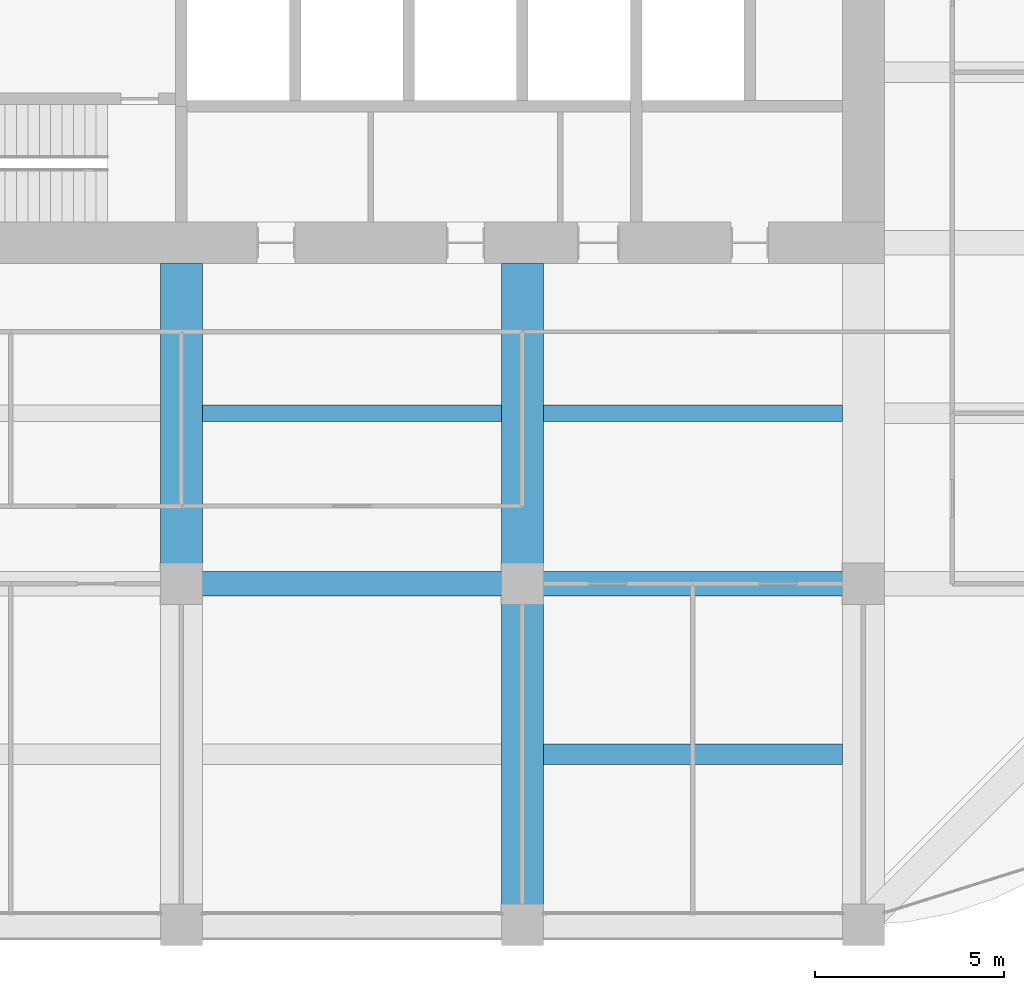
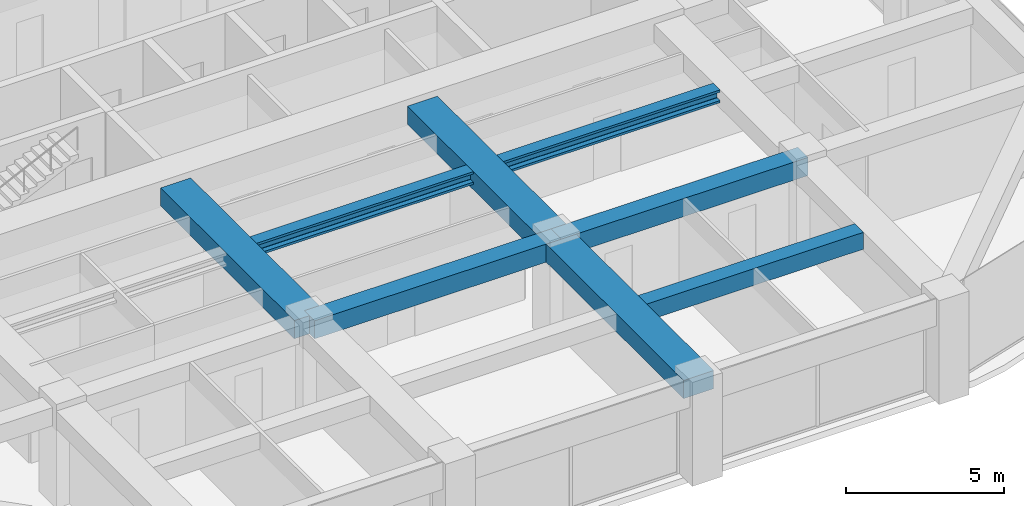
# One storey, part 12 of 45: 8 beams.
"""IFC4 building model written with IfcOpenShell, lengths in metres."""

import ifcopenshell
import ifcopenshell.guid

model = None  # the IFC model being written
_history = None  # IfcOwnerHistory: only IFC2X3 demands one
_inside = {}  # id of a spatial element -> (the spatial element, [elements in it])
_under = {}  # id of a project, library or spatial element -> (it, [spatial elements below it])
_declared = {}  # id of a project -> (the project, [libraries it declares])
_typed = {}  # id of a type object -> (the type object, [elements of that type])
_made_of = {}  # id of a material, layer set ... -> (it, [elements and type objects made of it])


def new_model(schema):
    """Start an empty IFC model of exactly this schema.

    Asked for "IFC4X3", IfcOpenShell would pick the latest addendum, in which some entities
    have other attributes; the version numbers below select the first issue.
    IFC2X3 requires an IfcOwnerHistory on every rooted entity: one is made here for all.
    """
    global model, _history
    if schema == "IFC4X3":
        model = ifcopenshell.file(schema_version=(4, 3, 0, 0))
    else:
        model = ifcopenshell.file(schema=schema)
    _inside.clear()
    _under.clear()
    _declared.clear()
    _typed.clear()
    _made_of.clear()
    _history = None
    if model.schema == "IFC2X3":
        org = make("IfcOrganization", Name="unknown")
        user = make(
            "IfcPersonAndOrganization",
            ThePerson=make("IfcPerson", FamilyName="unknown"),
            TheOrganization=org,
        )
        app = make(
            "IfcApplication",
            ApplicationDeveloper=org,
            Version="unknown",
            ApplicationFullName="unknown",
            ApplicationIdentifier="unknown",
        )
        _history = make(
            "IfcOwnerHistory",
            OwningUser=user,
            OwningApplication=app,
            ChangeAction="ADDED",
            CreationDate=0,
        )
    return model


def make(cls, **values):
    """One entity of the class cls with the attributes given. An attribute that is None is left unset."""
    return model.create_entity(
        cls, **{name: value for name, value in values.items() if value is not None}
    )


def rooted(cls, **values):
    """An entity with a GlobalId (a new one), such as an element, a storey or a relation."""
    return make(cls, GlobalId=ifcopenshell.guid.new(), OwnerHistory=_history, **values)


def si_unit(unit_type, name, prefix=None):
    """IfcSIUnit, for example si_unit("LENGTHUNIT", "METRE", prefix="MILLI")."""
    return make("IfcSIUnit", UnitType=unit_type, Prefix=prefix, Name=name)


def assignment(units):
    """IfcUnitAssignment: the units of a project."""
    return None if units is None else make("IfcUnitAssignment", Units=units)


def point(xyz):
    """IfcCartesianPoint."""
    return None if xyz is None else make("IfcCartesianPoint", Coordinates=xyz)


def direction(xyz):
    """IfcDirection."""
    return None if xyz is None else make("IfcDirection", DirectionRatios=xyz)


def frame(location, z_axis=None, x_axis=None):
    """IfcAxis2Placement3D, a coordinate frame: its origin and axes. An axis left out is left unset."""
    return make(
        "IfcAxis2Placement3D",
        Location=point(location),
        Axis=direction(z_axis),
        RefDirection=direction(x_axis),
    )


def frame_2d(location, x_axis=None):
    """IfcAxis2Placement2D, a coordinate frame in the plane: its origin and x axis."""
    return make(
        "IfcAxis2Placement2D", Location=point(location), RefDirection=direction(x_axis)
    )


def origin():
    """The frame at (0, 0, 0) with its axes left unset."""
    return frame((0.0, 0.0, 0.0))


def origin_2d():
    """The frame at (0, 0) in the plane with its x axis left unset."""
    return frame_2d((0.0, 0.0))


def place(relative_to, where):
    """IfcLocalPlacement: puts the frame where relative to a parent placement (None: the world)."""
    return make(
        "IfcLocalPlacement", PlacementRelTo=relative_to, RelativePlacement=where
    )


def context(
    kind, dimensions, precision=None, world=None, true_north=None, identifier=None
):
    """IfcGeometricRepresentationContext, for example the 3D "Model" context."""
    return make(
        "IfcGeometricRepresentationContext",
        ContextIdentifier=identifier,
        ContextType=kind,
        CoordinateSpaceDimension=dimensions,
        Precision=precision,
        WorldCoordinateSystem=world,
        TrueNorth=true_north,
    )


def subcontext(parent, identifier, kind, view, scale=None):
    """IfcGeometricRepresentationSubContext, for example "Body" below "Model"."""
    return make(
        "IfcGeometricRepresentationSubContext",
        ContextIdentifier=identifier,
        ContextType=kind,
        ParentContext=parent,
        TargetScale=scale,
        TargetView=view,
    )


def project(units=None, contexts=None):
    """IfcProject with its units and contexts."""
    return rooted(
        "IfcProject",
        Name="project",
        RepresentationContexts=contexts,
        UnitsInContext=assignment(units),
    )


def spatial(cls, under=None, at=None, **own):
    """A site, building, storey or space (cls), placed at a placement, below another one or the project."""
    s = rooted(cls, ObjectPlacement=at, **own)
    if under is not None:
        _under.setdefault(under.id(), (under, []))[1].append(s)
    return s


def profile(cls, at=None, kind="AREA", **sizes):
    """A parametric profile (cls). Its sizes go by their IFC names, for example OverallWidth=200.0."""
    return make(cls, ProfileType=kind, Position=at, **sizes)


def rectangle(**sizes):
    """IfcRectangleProfileDef."""
    return profile("IfcRectangleProfileDef", **sizes)


def i_section(**sizes):
    """IfcIShapeProfileDef."""
    return profile("IfcIShapeProfileDef", **sizes)


def extrude(swept, where, along, depth):
    """IfcExtrudedAreaSolid: the profile swept, set in the frame where, extruded along a direction by depth."""
    return make(
        "IfcExtrudedAreaSolid",
        SweptArea=swept,
        Position=where,
        ExtrudedDirection=direction(along),
        Depth=depth,
    )


def shape(context_of_items, identifier, shape_type, items):
    """IfcShapeRepresentation: the items that make up one representation, for example the "Body"."""
    return make(
        "IfcShapeRepresentation",
        ContextOfItems=context_of_items,
        RepresentationIdentifier=identifier,
        RepresentationType=shape_type,
        Items=items,
    )


def material(Name=None, Category=None):
    """IfcMaterial."""
    return make("IfcMaterial", Name=Name, Category=Category)


def material_profile(
    of_material, cross_section, Name=None, Category=None, Priority=None
):
    """IfcMaterialProfile: a cross section and its material."""
    return make(
        "IfcMaterialProfile",
        Name=Name,
        Material=of_material,
        Profile=cross_section,
        Priority=Priority,
        Category=Category,
    )


def profile_set(profiles, Name=None, composite=None):
    """IfcMaterialProfileSet."""
    return make(
        "IfcMaterialProfileSet",
        Name=Name,
        MaterialProfiles=profiles,
        CompositeProfile=composite,
    )


def made_of(thing, what):
    """Note that an element or type object is made of a material, layer set ...; save() writes the relation."""
    if what is not None:
        _made_of.setdefault(what.id(), (what, []))[1].append(thing)
    return thing


def type_object(cls, material=None, **own):
    """A type object (cls), such as IfcWallType, which elements share."""
    return made_of(rooted(cls, **own), material)


def element(
    cls,
    number,
    at=None,
    inside=None,
    cuts=None,
    type_object=None,
    material=None,
    context=None,
    identifier="Body",
    shape_type=None,
    held_by="IfcProductDefinitionShape",
    body=None,
    shapes=None,
    **own,
):
    """One element of the class cls, such as IfcWall. Its Tag is "e" and its number.

    at: its placement. inside: the storey or other place that contains it. cuts: it is an
    opening in that element (IfcRelVoidsElement). A single representation is given by context,
    identifier, shape_type and body (its items); several are given by shapes. held_by: the class
    of the entity that holds the representations. save() writes the other relations.
    """
    e = rooted(cls, Tag="e%d" % number, ObjectPlacement=at, **own)
    if body is not None:
        shapes = [shape(context, identifier, shape_type, body)]
    if shapes is not None:
        e.Representation = make(held_by, Representations=shapes)
    if inside is not None:
        _inside.setdefault(inside.id(), (inside, []))[1].append(e)
    if cuts is not None:
        rooted(
            "IfcRelVoidsElement", RelatingBuildingElement=cuts, RelatedOpeningElement=e
        )
    if type_object is not None:
        _typed.setdefault(type_object.id(), (type_object, []))[1].append(e)
    return made_of(e, material)


def aggregate(whole, parts):
    """IfcRelAggregates: a whole, such as a stair, and the parts it consists of."""
    return rooted("IfcRelAggregates", RelatingObject=whole, RelatedObjects=parts)


def save(model, path):
    """Write the relations noted so far, then the file.

    IfcRelAggregates (storeys below a building ...), IfcRelContainedInSpatialStructure (elements
    in a storey), IfcRelDefinesByType, IfcRelAssociatesMaterial and IfcRelDeclares: one each for
    every whole, place, type object, material and project.
    """
    for whole, parts in _under.values():
        aggregate(whole, parts)
    for where, things in _inside.values():
        rooted(
            "IfcRelContainedInSpatialStructure",
            RelatedElements=things,
            RelatingStructure=where,
        )
    for kind, things in _typed.values():
        rooted("IfcRelDefinesByType", RelatedObjects=things, RelatingType=kind)
    for what, things in _made_of.values():
        rooted("IfcRelAssociatesMaterial", RelatedObjects=things, RelatingMaterial=what)
    for by, libraries in _declared.values():
        rooted("IfcRelDeclares", RelatingContext=by, RelatedDefinitions=libraries)
    model.write(path)


model = new_model("IFC4")

# Units and contexts
model_context = context("Model", 3, precision=1e-05, world=origin(), true_north=direction((0.0, 1.0)))
body_context = subcontext(model_context, "Body", "Model", "MODEL_VIEW")
ifc_project = project(units=[si_unit("LENGTHUNIT", "METRE"), si_unit("AREAUNIT", "SQUARE_METRE"), si_unit("VOLUMEUNIT", "CUBIC_METRE"), si_unit("PLANEANGLEUNIT", "RADIAN"), si_unit("MASSUNIT", "GRAM", prefix="KILO")], contexts=[model_context])

# Site, building, storey
site_placement = place(None, origin())
site = spatial("IfcSite", under=ifc_project, at=site_placement, CompositionType="ELEMENT")
building_placement = place(site_placement, origin())
building = spatial("IfcBuilding", under=site, at=building_placement, Name="Zorevar Civic Tower", CompositionType="ELEMENT")
storey_placement = place(building_placement, frame((0.0, 0.0, 303.39990234375)))
storey = spatial("IfcBuildingStorey", under=building, at=storey_placement, Name="L74", CompositionType="ELEMENT", Elevation=303.39990234375)

# Beams
ifc_material_1 = material(Name="Concrete C50/60", Category="concrete")
ifc_material_profile_1 = material_profile(ifc_material_1, rectangle(XDim=1.10009765625, YDim=0.699951171875, at=origin_2d()), Name="RC 1100x700")
ifc_profile_set_1 = profile_set([ifc_material_profile_1], Name="Concrete C50/60")
beam_type_1 = type_object("IfcBeamType", Name="Beam RC 1100x700", PredefinedType="BEAM", material=ifc_profile_set_1)
beam_1_placement = place(storey_placement, frame((27.0, 9.0, 3.400146484375), z_axis=(0.0, 1.0, 0.0), x_axis=(-1.0, 0.0, 0.0)))
element("IfcBeam", 1, at=beam_1_placement, inside=storey, type_object=beam_type_1, Name="Girder L75", PredefinedType="BEAM", context=body_context, shape_type="SweptSolid", body=[
    extrude(rectangle(XDim=1.10009765625, YDim=0.699951171875, at=origin_2d()), origin(), (0.0, 0.0, 1.0), 8.449951171875),
])
beam_2_placement = place(storey_placement, frame((36.0, 0.0, 3.400146484375), z_axis=(0.0, 1.0, 0.0), x_axis=(-1.0, 0.0, 0.0)))
element("IfcBeam", 2, at=beam_2_placement, inside=storey, type_object=beam_type_1, Name="Girder L75", PredefinedType="BEAM", context=body_context, shape_type="SweptSolid", body=[
    extrude(rectangle(XDim=1.10009765625, YDim=0.699951171875, at=origin_2d()), origin(), (0.0, 0.0, 1.0), 9.0),
])
beam_3_placement = place(storey_placement, frame((36.0, 9.0, 3.400146484375), z_axis=(0.0, 1.0, 0.0), x_axis=(-1.0, 0.0, 0.0)))
element("IfcBeam", 3, at=beam_3_placement, inside=storey, type_object=beam_type_1, Name="Girder L75", PredefinedType="BEAM", context=body_context, shape_type="SweptSolid", body=[
    extrude(rectangle(XDim=1.10009765625, YDim=0.699951171875, at=origin_2d()), origin(), (0.0, 0.0, 1.0), 8.449951171875),
])
ifc_material_2 = material(Name="Concrete C50/60", Category="concrete")
ifc_material_profile_2 = material_profile(ifc_material_2, rectangle(XDim=0.550048828125, YDim=0.64990234375, at=origin_2d()), Name="RC 550x650")
ifc_profile_set_2 = profile_set([ifc_material_profile_2], Name="Concrete C50/60")
beam_type_2 = type_object("IfcBeamType", Name="Beam RC 550x650", PredefinedType="BEAM", material=ifc_profile_set_2)
beam_4_placement = place(storey_placement, frame((36.550048828125, 4.5, 3.425048828125), z_axis=(1.0, 0.0, 0.0), x_axis=(0.0, 1.0, 0.0)))
element("IfcBeam", 4, at=beam_4_placement, inside=storey, type_object=beam_type_2, Name="Secondary beam L75", PredefinedType="BEAM", context=body_context, shape_type="SweptSolid", body=[
    extrude(rectangle(XDim=0.550048828125, YDim=0.64990234375, at=origin_2d()), origin(), (0.0, 0.0, 1.0), 7.89990234375),
])
ifc_material_3 = material(Name="Concrete C50/60", Category="concrete")
ifc_material_profile_3 = material_profile(ifc_material_3, rectangle(XDim=0.64990234375, YDim=0.699951171875, at=origin_2d()), Name="RC 650x700")
ifc_profile_set_3 = profile_set([ifc_material_profile_3], Name="Concrete C50/60")
beam_type_3 = type_object("IfcBeamType", Name="Beam RC 650x700", PredefinedType="BEAM", material=ifc_profile_set_3)
for number, where, z_axis, x_axis, name in (
    (5, (27.0, 9.0, 3.400146484375), (1.0, 0.0, 0.0), (0.0, 1.0, 0.0), "Girder L75"),
    (6, (36.0, 9.0, 3.400146484375), (1.0, 0.0, 0.0), (0.0, 1.0, 0.0), "Girder L75"),
):
    element("IfcBeam", number, at=place(storey_placement, frame(where, z_axis=z_axis, x_axis=x_axis)), inside=storey, type_object=beam_type_3, Name=name, PredefinedType="BEAM", context=body_context, shape_type="SweptSolid", body=[
        extrude(rectangle(XDim=0.64990234375, YDim=0.699951171875, at=origin_2d()), origin(), (0.0, 0.0, 1.0), 9.0),
    ])
ifc_material_4 = material(Name="Steel S460M (HISTAR 460)", Category="steel")
ifc_material_profile_4 = material_profile(ifc_material_4, i_section(OverallWidth=0.431884765625, OverallDepth=0.498046875, WebThickness=0.0556640625, FlangeThickness=0.0888671875, FilletRadius=0.014892578125, at=origin_2d()), Name="HD 400x744")
ifc_profile_set_4 = profile_set([ifc_material_profile_4], Name="Steel S460M (HISTAR 460)")
beam_type_4 = type_object("IfcBeamType", Name="Core bay beam HD 400x744", PredefinedType="BEAM", material=ifc_profile_set_4)
for number, where, z_axis, x_axis, name in (
    (7, (27.550048828125, 13.5, 3.5009765625), (1.0, 0.0, 0.0), (0.0, 1.0, 0.0), "Secondary beam L75"),
    (8, (36.550048828125, 13.5, 3.5009765625), (1.0, 0.0, 0.0), (0.0, 1.0, 0.0), "Secondary beam L75"),
):
    element("IfcBeam", number, at=place(storey_placement, frame(where, z_axis=z_axis, x_axis=x_axis)), inside=storey, type_object=beam_type_4, Name=name, PredefinedType="BEAM", context=body_context, shape_type="SweptSolid", body=[
        extrude(i_section(OverallWidth=0.431884765625, OverallDepth=0.498046875, WebThickness=0.0556640625, FlangeThickness=0.0888671875, FilletRadius=0.014892578125, at=origin_2d()), origin(), (0.0, 0.0, 1.0), 7.89990234375),
    ])

save(model, "model.ifc")
